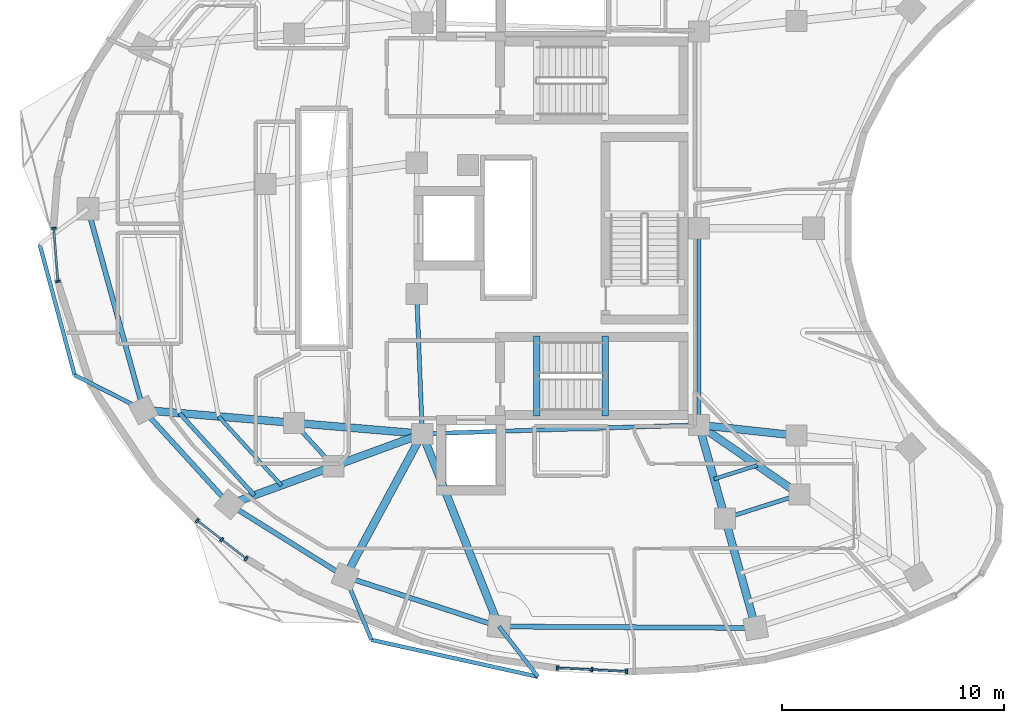
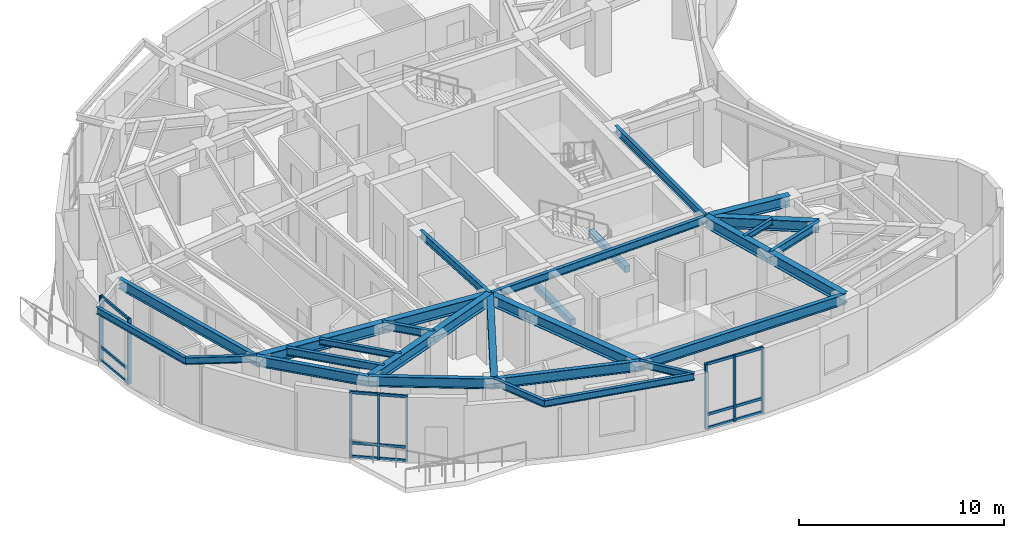
# One storey, part 2 of 13: 30 beams, 23 members, 3 elements without a shape of their own.
"""IFC4 building model written with IfcOpenShell, lengths in metres."""

from ifc_helpers import new_model, si_unit, direction, frame, origin, origin_2d, place, context, subcontext, project, spatial, rectangle, i_section, extrude, material, layer, layer_set, material_profile, profile_set, type_object, element, aggregate, save


model = new_model("IFC4")

# Units and contexts
model_context = context("Model", 3, precision=1e-05, world=origin(), true_north=direction((0.0, 1.0)))
body_context = subcontext(model_context, "Body", "Model", "MODEL_VIEW")
ifc_project = project(units=[si_unit("LENGTHUNIT", "METRE"), si_unit("AREAUNIT", "SQUARE_METRE"), si_unit("VOLUMEUNIT", "CUBIC_METRE"), si_unit("PLANEANGLEUNIT", "RADIAN"), si_unit("MASSUNIT", "GRAM", prefix="KILO")], contexts=[model_context])

# Site, building, storey
site_placement = place(None, origin())
site = spatial("IfcSite", under=ifc_project, at=site_placement, CompositionType="ELEMENT")
building_placement = place(site_placement, origin())
building = spatial("IfcBuilding", under=site, at=building_placement, Name="Korentha Bioscience Tower", CompositionType="ELEMENT")
storey_placement = place(building_placement, frame((0.0, 0.0, 204.60009765625)))
storey = spatial("IfcBuildingStorey", under=building, at=storey_placement, Name="L47", CompositionType="ELEMENT", Elevation=204.60009765625)

# Beams
ifc_material_1 = material(Name="Concrete C50", Category="concrete")
ifc_material_profile_1 = material_profile(ifc_material_1, rectangle(XDim=0.280029296875, YDim=0.3798828125, at=origin_2d()), Name="Concrete C50")
ifc_profile_set_1 = profile_set([ifc_material_profile_1], Name="Concrete C50 (ST-HB380)")
beam_type_1 = type_object("IfcBeamType", Name="Concrete Stair Header Beam RC 280x380", PredefinedType="BEAM", material=ifc_profile_set_1)
for number, where, z_axis, x_axis, name in (
    (1, (30.25, 18.550048828125, -0.190185546875), (0.0, 1.0, 0.0), (-1.0, 0.0, 0.0), "L47 ST-2 Concrete Stair Header Beam"),
    (2, (33.330078125, 18.550048828125, 1.909912109375), (0.0, 1.0, 0.0), (-1.0, 0.0, 0.0), "L47 ST-2 Half-Landing Header Beam 1"),
):
    element("IfcBeam", number, at=place(storey_placement, frame(where, z_axis=z_axis, x_axis=x_axis)), inside=storey, type_object=beam_type_1, Name=name, PredefinedType="BEAM", context=body_context, shape_type="SweptSolid", body=[
        extrude(rectangle(XDim=0.280029296875, YDim=0.3798828125, at=origin_2d()), origin(), (0.0, 0.0, 1.0), 3.599853515625),
    ])
ifc_material_2 = material(Name="Steel S355", Category="steel")
ifc_material_profile_2 = material_profile(ifc_material_2, i_section(OverallWidth=0.18994140625, OverallDepth=0.45703125, WebThickness=0.009033203125, FlangeThickness=0.014404296875, at=origin_2d()), Name="Steel S355")
ifc_profile_set_2 = profile_set([ifc_material_profile_2], Name="Steel S355 (MB-460)")
beam_type_2 = type_object("IfcBeamType", Name="Mid-Ring Tie Girder W460x74", PredefinedType="BEAM", material=ifc_profile_set_2)
beam_1_placement = place(storey_placement, frame((19.32470703125, 18.242431640625, 3.67138671875), z_axis=(0.673513544519, -0.739174881438, 0.0), x_axis=(0.739174881438, 0.673513544519, 0.0)))
element("IfcBeam", 3, at=beam_1_placement, inside=storey, type_object=beam_type_2, Name="L47 Mid-Ring Tie Girder 08", PredefinedType="BEAM", context=body_context, shape_type="SweptSolid", body=[
    extrude(i_section(OverallWidth=0.18994140625, OverallDepth=0.45703125, WebThickness=0.009033203125, FlangeThickness=0.014404296875, at=origin_2d()), origin(), (0.0, 0.0, 1.0), 2.6435546875),
])
beam_2_placement = place(storey_placement, frame((38.72607421875, 13.947021484375, 3.67138671875), z_axis=(0.953017639844, 0.302914803446, 0.0), x_axis=(-0.302914803446, 0.953017639844, 0.0)))
element("IfcBeam", 4, at=beam_2_placement, inside=storey, type_object=beam_type_2, Name="L47 Mid-Ring Tie Girder 12", PredefinedType="BEAM", context=body_context, shape_type="SweptSolid", body=[
    extrude(i_section(OverallWidth=0.18994140625, OverallDepth=0.45703125, WebThickness=0.009033203125, FlangeThickness=0.014404296875, at=origin_2d()), origin(), (0.0, 0.0, 1.0), 3.523681640625),
])
beam_3_placement = place(storey_placement, frame((24.85009765625, 24.050048828125, 3.67138671875), z_axis=(0.039651025576, -0.999213588864, 0.0), x_axis=(0.999213588864, 0.039651025576, 0.0)))
element("IfcBeam", 5, at=beam_3_placement, inside=storey, type_object=beam_type_2, Name="L47 Core Ring Tie Girder 04", PredefinedType="BEAM", context=body_context, shape_type="SweptSolid", body=[
    extrude(i_section(OverallWidth=0.18994140625, OverallDepth=0.45703125, WebThickness=0.009033203125, FlangeThickness=0.014404296875, at=origin_2d()), origin(), (0.0, 0.0, 1.0), 6.304931640625),
])
beam_4_placement = place(storey_placement, frame((25.10009765625, 17.75, 3.67138671875), z_axis=(0.999484526071, 0.032104238723, 0.0), x_axis=(-0.032104238723, 0.999484526071, 0.0)))
element("IfcBeam", 6, at=beam_4_placement, inside=storey, type_object=beam_type_2, Name="L47 Core Ring Tie Girder 05", PredefinedType="BEAM", context=body_context, shape_type="SweptSolid", body=[
    extrude(i_section(OverallWidth=0.18994140625, OverallDepth=0.45703125, WebThickness=0.009033203125, FlangeThickness=0.014404296875, at=origin_2d()), origin(), (0.0, 0.0, 1.0), 12.456298828125),
])
beam_5_placement = place(storey_placement, frame((37.550048828125, 18.14990234375, 3.67138671875), z_axis=(0.0, 1.0, 0.0), x_axis=(-1.0, 0.0, 0.0)))
element("IfcBeam", 7, at=beam_5_placement, inside=storey, type_object=beam_type_2, Name="L47 Core Ring Tie Girder 06", PredefinedType="BEAM", context=body_context, shape_type="SweptSolid", body=[
    extrude(i_section(OverallWidth=0.18994140625, OverallDepth=0.45703125, WebThickness=0.009033203125, FlangeThickness=0.014404296875, at=origin_2d()), origin(), (0.0, 0.0, 1.0), 8.85009765625),
])

# Curtain wall, members
ifc_material_3 = material(Name="Thermally Broken Aluminium Frame", Category="aluminium")
ifc_layer = layer(ifc_material_3, 0.219970703125, Name="Thermally Broken Aluminium Frame")
ifc_layer_set = layer_set([ifc_layer], Name="Thermally Broken Aluminium Frame (CW-T1)")
curtain_wall_type = type_object("IfcCurtainWallType", Name="Standard Bioscience Lab Unitised Curtain Wall CW-T1", PredefinedType="USERDEFINED", material=ifc_layer_set)
curtain_wall_1_placement = place(storey_placement, origin())
curtain_wall_1 = element("IfcCurtainWall", 8, at=curtain_wall_1_placement, inside=storey, type_object=curtain_wall_type, Name="L47 Curtain Wall 19", ObjectType="UNITISED", PredefinedType="USERDEFINED")
ifc_material_4 = material(Name="Anodised Aluminium 6063-T6", Category="aluminium")
ifc_material_profile_3 = material_profile(ifc_material_4, rectangle(XDim=0.090087890625, YDim=0.199951171875, at=origin_2d()), Name="Anodised Aluminium 6063-T6")
ifc_profile_set_3 = profile_set([ifc_material_profile_3], Name="Anodised Aluminium 6063-T6 (CW-MUL)")
member_type_1 = type_object("IfcMemberType", Name="Mullion RECT 90x200", PredefinedType="MULLION", material=ifc_profile_set_3)
member_1_placement = place(storey_placement, frame((8.518798828125, 27.007568359375, 0.0), z_axis=(0.0, 0.0, 1.0), x_axis=(0.077987717013, -0.996954319914, 0.0)))
member_1 = element("IfcMember", 9, at=member_1_placement, type_object=member_type_1, Name="CW-L47-19 Mullion 1", PredefinedType="MULLION", context=body_context, shape_type="SweptSolid", body=[
    extrude(rectangle(XDim=0.090087890625, YDim=0.199951171875, at=origin_2d()), origin(), (0.0, 0.0, 1.0), 3.89990234375),
])
member_2_placement = place(storey_placement, frame((8.70654296875, 24.605712890625, 0.0), z_axis=(0.0, 0.0, 1.0), x_axis=(0.077987717013, -0.996954319914, 0.0)))
member_2 = element("IfcMember", 10, at=member_2_placement, type_object=member_type_1, Name="CW-L47-19 Mullion 2", PredefinedType="MULLION", context=body_context, shape_type="SweptSolid", body=[
    extrude(rectangle(XDim=0.090087890625, YDim=0.199951171875, at=origin_2d()), origin(), (0.0, 0.0, 1.0), 3.89990234375),
])

curtain_wall_2_placement = place(storey_placement, origin())
curtain_wall_2 = element("IfcCurtainWall", 11, at=curtain_wall_2_placement, inside=storey, type_object=curtain_wall_type, Name="L47 Curtain Wall 25", ObjectType="UNITISED", PredefinedType="USERDEFINED")
member_3_placement = place(storey_placement, frame((14.97265625, 13.84375, 0.0), z_axis=(0.0, 0.0, 1.0), x_axis=(0.790346099854, -0.612660625833, 0.0)))
member_3 = element("IfcMember", 12, at=member_3_placement, type_object=member_type_1, Name="CW-L47-25 Mullion 1", PredefinedType="MULLION", context=body_context, shape_type="SweptSolid", body=[
    extrude(rectangle(XDim=0.090087890625, YDim=0.199951171875, at=origin_2d()), origin(), (0.0, 0.0, 1.0), 3.89990234375),
])
member_4_placement = place(storey_placement, frame((16.074951171875, 12.989501953125, 0.0), z_axis=(0.0, 0.0, 1.0), x_axis=(0.790346099854, -0.612660625833, 0.0)))
member_4 = element("IfcMember", 13, at=member_4_placement, type_object=member_type_1, Name="CW-L47-25 Mullion 2", PredefinedType="MULLION", context=body_context, shape_type="SweptSolid", body=[
    extrude(rectangle(XDim=0.090087890625, YDim=0.199951171875, at=origin_2d()), origin(), (0.0, 0.0, 1.0), 3.89990234375),
])
member_5_placement = place(storey_placement, frame((17.177001953125, 12.135009765625, 0.0), z_axis=(0.0, 0.0, 1.0), x_axis=(0.790346099854, -0.612660625833, 0.0)))
member_5 = element("IfcMember", 14, at=member_5_placement, type_object=member_type_1, Name="CW-L47-25 Mullion 3", PredefinedType="MULLION", context=body_context, shape_type="SweptSolid", body=[
    extrude(rectangle(XDim=0.090087890625, YDim=0.199951171875, at=origin_2d()), origin(), (0.0, 0.0, 1.0), 3.89990234375),
])

curtain_wall_3_placement = place(storey_placement, origin())
curtain_wall_3 = element("IfcCurtainWall", 15, at=curtain_wall_3_placement, inside=storey, type_object=curtain_wall_type, Name="L47 Curtain Wall 31", ObjectType="UNITISED", PredefinedType="USERDEFINED")
member_6_placement = place(storey_placement, frame((31.17529296875, 7.216796875, 0.0), z_axis=(0.0, 0.0, 1.0), x_axis=(0.998634603964, -0.052239140168, 0.0)))
member_6 = element("IfcMember", 16, at=member_6_placement, type_object=member_type_1, Name="CW-L47-31 Mullion 1", PredefinedType="MULLION", context=body_context, shape_type="SweptSolid", body=[
    extrude(rectangle(XDim=0.090087890625, YDim=0.199951171875, at=origin_2d()), origin(), (0.0, 0.0, 1.0), 3.89990234375),
])
member_7_placement = place(storey_placement, frame((32.737060546875, 7.135009765625, 0.0), z_axis=(0.0, 0.0, 1.0), x_axis=(0.998634603964, -0.052239140168, 0.0)))
member_7 = element("IfcMember", 17, at=member_7_placement, type_object=member_type_1, Name="CW-L47-31 Mullion 2", PredefinedType="MULLION", context=body_context, shape_type="SweptSolid", body=[
    extrude(rectangle(XDim=0.090087890625, YDim=0.199951171875, at=origin_2d()), origin(), (0.0, 0.0, 1.0), 3.89990234375),
])
member_8_placement = place(storey_placement, frame((34.299072265625, 7.053466796875, 0.0), z_axis=(0.0, 0.0, 1.0), x_axis=(0.998634603964, -0.052239140168, 0.0)))
member_8 = element("IfcMember", 18, at=member_8_placement, type_object=member_type_1, Name="CW-L47-31 Mullion 3", PredefinedType="MULLION", context=body_context, shape_type="SweptSolid", body=[
    extrude(rectangle(XDim=0.090087890625, YDim=0.199951171875, at=origin_2d()), origin(), (0.0, 0.0, 1.0), 3.89990234375),
])

# Beams
ifc_material_profile_4 = material_profile(ifc_material_2, i_section(OverallWidth=0.22802734375, OverallDepth=0.60791015625, WebThickness=0.01123046875, FlangeThickness=0.017333984375, at=origin_2d()), Name="Steel S355")
ifc_profile_set_4 = profile_set([ifc_material_profile_4], Name="Steel S355 (SB-610)")
beam_type_3 = type_object("IfcBeamType", Name="Perimeter Ring Spandrel Girder W610x113", PredefinedType="SPANDREL", material=ifc_profile_set_4)
beam_6_placement = place(storey_placement, frame((10.05224609375, 27.874267578125, 3.595947265625), z_axis=(0.265485778436, -0.964114776076, 0.0), x_axis=(0.964114776076, 0.265485778436, 0.0)))
element("IfcBeam", 19, at=beam_6_placement, inside=storey, type_object=beam_type_3, Name="L47 Perimeter Spandrel Girder 07", PredefinedType="SPANDREL", context=body_context, shape_type="SweptSolid", body=[
    extrude(i_section(OverallWidth=0.22802734375, OverallDepth=0.60791015625, WebThickness=0.01123046875, FlangeThickness=0.017333984375, at=origin_2d()), origin(), (0.0, 0.0, 1.0), 9.390869140625),
])
beam_7_placement = place(storey_placement, frame((12.54541015625, 18.8203125, 3.595947265625), z_axis=(0.673503408544, -0.739184116902, 0.0), x_axis=(0.739184116902, 0.673503408544, 0.0)))
element("IfcBeam", 20, at=beam_7_placement, inside=storey, type_object=beam_type_3, Name="L47 Perimeter Spandrel Girder 08", PredefinedType="SPANDREL", context=body_context, shape_type="SweptSolid", body=[
    extrude(i_section(OverallWidth=0.22802734375, OverallDepth=0.60791015625, WebThickness=0.01123046875, FlangeThickness=0.017333984375, at=origin_2d()), origin(), (0.0, 0.0, 1.0), 5.74658203125),
])
beam_8_placement = place(storey_placement, frame((16.415771484375, 14.572509765625, 3.595947265625), z_axis=(0.848274790748, -0.52955630426, 0.0), x_axis=(0.52955630426, 0.848274790748, 0.0)))
element("IfcBeam", 21, at=beam_8_placement, inside=storey, type_object=beam_type_3, Name="L47 Perimeter Spandrel Girder 09", PredefinedType="SPANDREL", context=body_context, shape_type="SweptSolid", body=[
    extrude(i_section(OverallWidth=0.22802734375, OverallDepth=0.60791015625, WebThickness=0.01123046875, FlangeThickness=0.017333984375, at=origin_2d()), origin(), (0.0, 0.0, 1.0), 6.148681640625),
])
beam_9_placement = place(storey_placement, frame((21.631591796875, 11.31640625, 3.595947265625), z_axis=(0.951425150124, -0.307880145042, 0.0), x_axis=(0.307880145042, 0.951425150124, 0.0)))
element("IfcBeam", 22, at=beam_9_placement, inside=storey, type_object=beam_type_3, Name="L47 Perimeter Spandrel Girder 10", PredefinedType="SPANDREL", context=body_context, shape_type="SweptSolid", body=[
    extrude(i_section(OverallWidth=0.22802734375, OverallDepth=0.60791015625, WebThickness=0.01123046875, FlangeThickness=0.017333984375, at=origin_2d()), origin(), (0.0, 0.0, 1.0), 7.275634765625),
])
beam_10_placement = place(storey_placement, frame((28.5537109375, 9.076416015625, 3.595947265625), z_axis=(0.999984906184, -0.005494306452, 0.0), x_axis=(0.005494306452, 0.999984906184, 0.0)))
element("IfcBeam", 23, at=beam_10_placement, inside=storey, type_object=beam_type_3, Name="L47 Perimeter Spandrel Girder 11", PredefinedType="SPANDREL", context=body_context, shape_type="SweptSolid", body=[
    extrude(i_section(OverallWidth=0.22802734375, OverallDepth=0.60791015625, WebThickness=0.01123046875, FlangeThickness=0.017333984375, at=origin_2d()), origin(), (0.0, 0.0, 1.0), 11.55322265625),
])
ifc_material_profile_5 = material_profile(ifc_material_2, i_section(OverallWidth=0.18994140625, OverallDepth=0.45703125, WebThickness=0.009033203125, FlangeThickness=0.014404296875, at=origin_2d()), Name="Steel S355")
ifc_profile_set_5 = profile_set([ifc_material_profile_5], Name="Steel S355 (RB-460)")
beam_type_4 = type_object("IfcBeamType", Name="Radial Laboratory Beam W460x74", PredefinedType="BEAM", material=ifc_profile_set_5)
beam_11_placement = place(storey_placement, frame((14.17236328125, 18.681640625, 3.67138671875), z_axis=(0.67349592261, -0.739190937599, 0.0), x_axis=(0.739190937599, 0.67349592261, 0.0)))
element("IfcBeam", 24, at=beam_11_placement, inside=storey, type_object=beam_type_4, Name="L47 Secondary Floor Beam JSTO-08", PredefinedType="BEAM", context=body_context, shape_type="SweptSolid", body=[
    extrude(i_section(OverallWidth=0.18994140625, OverallDepth=0.45703125, WebThickness=0.009033203125, FlangeThickness=0.014404296875, at=origin_2d()), origin(), (0.0, 0.0, 1.0), 5.002197265625),
])
ifc_material_profile_6 = material_profile(ifc_material_2, i_section(OverallWidth=0.35009765625, OverallDepth=0.64990234375, WebThickness=0.01611328125, FlangeThickness=0.02490234375, at=origin_2d()), Name="Steel S355")
ifc_profile_set_6 = profile_set([ifc_material_profile_6], Name="Steel S355 (RB-650)")
beam_type_5 = type_object("IfcBeamType", Name="Radial Laboratory Girder CVS 650x208", PredefinedType="BEAM", material=ifc_profile_set_6)
beam_12_placement = place(storey_placement, frame((25.10009765625, 17.75, 3.574951171875), z_axis=(-0.996384743884, 0.084955530454, 0.0), x_axis=(-0.084955530454, -0.996384743884, 0.0)))
element("IfcBeam", 25, at=beam_12_placement, inside=storey, type_object=beam_type_5, Name="L47 Inner Radial Girder 08", PredefinedType="BEAM", context=body_context, shape_type="SweptSolid", body=[
    extrude(i_section(OverallWidth=0.35009765625, OverallDepth=0.64990234375, WebThickness=0.01611328125, FlangeThickness=0.02490234375, at=origin_2d()), origin(), (0.0, 0.0, 1.0), 5.79638671875),
])
beam_13_placement = place(storey_placement, frame((19.32470703125, 18.242431640625, 3.574951171875), z_axis=(-0.996386580267, 0.084933990042, 0.0), x_axis=(-0.084933990042, -0.996386580267, 0.0)))
element("IfcBeam", 26, at=beam_13_placement, inside=storey, type_object=beam_type_5, Name="L47 Outer Radial Girder 08", PredefinedType="BEAM", context=body_context, shape_type="SweptSolid", body=[
    extrude(i_section(OverallWidth=0.35009765625, OverallDepth=0.64990234375, WebThickness=0.01611328125, FlangeThickness=0.02490234375, at=origin_2d()), origin(), (0.0, 0.0, 1.0), 6.803955078125),
])
beam_14_placement = place(storey_placement, frame((25.10009765625, 17.75, 3.574951171875), z_axis=(-0.939112914942, -0.343608691668, 0.0), x_axis=(0.343608691668, -0.939112914942, 0.0)))
element("IfcBeam", 27, at=beam_14_placement, inside=storey, type_object=beam_type_5, Name="L47 Inner Radial Girder 09", PredefinedType="BEAM", context=body_context, shape_type="SweptSolid", body=[
    extrude(i_section(OverallWidth=0.35009765625, OverallDepth=0.64990234375, WebThickness=0.01611328125, FlangeThickness=0.02490234375, at=origin_2d()), origin(), (0.0, 0.0, 1.0), 4.25390625),
])
beam_15_placement = place(storey_placement, frame((21.105224609375, 16.288330078125, 3.574951171875), z_axis=(-0.939112078038, -0.343610978991, 0.0), x_axis=(0.343610978991, -0.939112078038, 0.0)))
element("IfcBeam", 28, at=beam_15_placement, inside=storey, type_object=beam_type_5, Name="L47 Outer Radial Girder 09", PredefinedType="BEAM", context=body_context, shape_type="SweptSolid", body=[
    extrude(i_section(OverallWidth=0.35009765625, OverallDepth=0.64990234375, WebThickness=0.01611328125, FlangeThickness=0.02490234375, at=origin_2d()), origin(), (0.0, 0.0, 1.0), 4.993408203125),
])
beam_16_placement = place(storey_placement, frame((25.10009765625, 17.75, 3.574951171875), z_axis=(-0.47455192253, -0.880227511967, 0.0), x_axis=(0.880227511967, -0.47455192253, 0.0)))
element("IfcBeam", 29, at=beam_16_placement, inside=storey, type_object=beam_type_5, Name="L47 Radial Girder 10", PredefinedType="BEAM", context=body_context, shape_type="SweptSolid", body=[
    extrude(i_section(OverallWidth=0.35009765625, OverallDepth=0.64990234375, WebThickness=0.01611328125, FlangeThickness=0.02490234375, at=origin_2d()), origin(), (0.0, 0.0, 1.0), 7.30908203125),
])
beam_17_placement = place(storey_placement, frame((25.10009765625, 17.75, 3.574951171875), z_axis=(0.369929378235, -0.929059877036, 0.0), x_axis=(0.929059877036, 0.369929378235, 0.0)))
element("IfcBeam", 30, at=beam_17_placement, inside=storey, type_object=beam_type_5, Name="L47 Radial Girder 11", PredefinedType="BEAM", context=body_context, shape_type="SweptSolid", body=[
    extrude(i_section(OverallWidth=0.35009765625, OverallDepth=0.64990234375, WebThickness=0.01611328125, FlangeThickness=0.02490234375, at=origin_2d()), origin(), (0.0, 0.0, 1.0), 9.3359375),
])
beam_18_placement = place(storey_placement, frame((37.550048828125, 18.14990234375, 3.574951171875), z_axis=(0.269463926865, -0.963010483909, 0.0), x_axis=(0.963010483909, 0.269463926865, 0.0)))
element("IfcBeam", 31, at=beam_18_placement, inside=storey, type_object=beam_type_5, Name="L47 Inner Radial Girder 12", PredefinedType="BEAM", context=body_context, shape_type="SweptSolid", body=[
    extrude(i_section(OverallWidth=0.35009765625, OverallDepth=0.64990234375, WebThickness=0.01611328125, FlangeThickness=0.02490234375, at=origin_2d()), origin(), (0.0, 0.0, 1.0), 4.3642578125),
])
beam_19_placement = place(storey_placement, frame((38.72607421875, 13.947021484375, 3.574951171875), z_axis=(0.269462014476, -0.96301101902, 0.0), x_axis=(0.96301101902, 0.269462014476, 0.0)))
element("IfcBeam", 32, at=beam_19_placement, inside=storey, type_object=beam_type_5, Name="L47 Outer Radial Girder 12", PredefinedType="BEAM", context=body_context, shape_type="SweptSolid", body=[
    extrude(i_section(OverallWidth=0.35009765625, OverallDepth=0.64990234375, WebThickness=0.01611328125, FlangeThickness=0.02490234375, at=origin_2d()), origin(), (0.0, 0.0, 1.0), 5.12353515625),
])
beam_20_placement = place(storey_placement, frame((37.550048828125, 18.14990234375, 3.574951171875), z_axis=(0.822493403442, -0.568774648956, 0.0), x_axis=(0.568774648956, 0.822493403442, 0.0)))
element("IfcBeam", 33, at=beam_20_placement, inside=storey, type_object=beam_type_5, Name="L47 Inner Radial Girder 13", PredefinedType="BEAM", context=body_context, shape_type="SweptSolid", body=[
    extrude(i_section(OverallWidth=0.35009765625, OverallDepth=0.64990234375, WebThickness=0.01611328125, FlangeThickness=0.02490234375, at=origin_2d()), origin(), (0.0, 0.0, 1.0), 5.5126953125),
])
beam_21_placement = place(storey_placement, frame((37.550048828125, 18.14990234375, 3.574951171875), z_axis=(0.99412286891, -0.108257662593, 0.0), x_axis=(0.108257662593, 0.99412286891, 0.0)))
element("IfcBeam", 34, at=beam_21_placement, inside=storey, type_object=beam_type_5, Name="L47 Inner Radial Girder 14", PredefinedType="BEAM", context=body_context, shape_type="SweptSolid", body=[
    extrude(i_section(OverallWidth=0.35009765625, OverallDepth=0.64990234375, WebThickness=0.01611328125, FlangeThickness=0.02490234375, at=origin_2d()), origin(), (0.0, 0.0, 1.0), 4.413330078125),
])
ifc_material_profile_7 = material_profile(ifc_material_2, i_section(OverallWidth=0.1708984375, OverallDepth=0.35498046875, WebThickness=0.007080078125, FlangeThickness=0.01171875, at=origin_2d()), Name="Steel S355")
ifc_profile_set_7 = profile_set([ifc_material_profile_7], Name="Steel S355 (JB-360)")
beam_type_6 = type_object("IfcBeamType", Name="Secondary Laboratory Joist W360x51", PredefinedType="JOIST", material=ifc_profile_set_7)
beam_22_placement = place(storey_placement, frame((15.93505859375, 18.531494140625, 3.722412109375), z_axis=(0.673492116079, -0.739194405809, 0.0), x_axis=(0.739194405809, 0.673492116079, 0.0)))
element("IfcBeam", 35, at=beam_22_placement, inside=storey, type_object=beam_type_6, Name="L47 Secondary Floor Beam JST-08", PredefinedType="JOIST", context=body_context, shape_type="SweptSolid", body=[
    extrude(i_section(OverallWidth=0.1708984375, OverallDepth=0.35498046875, WebThickness=0.007080078125, FlangeThickness=0.01171875, at=origin_2d()), origin(), (0.0, 0.0, 1.0), 4.1953125),
])
beam_23_placement = place(storey_placement, frame((38.232177734375, 15.71240234375, 3.722412109375), z_axis=(0.953033984423, 0.30286337602, 0.0), x_axis=(-0.30286337602, 0.953033984423, 0.0)))
element("IfcBeam", 36, at=beam_23_placement, inside=storey, type_object=beam_type_6, Name="L47 Inner Bay Joist 12", PredefinedType="JOIST", context=body_context, shape_type="SweptSolid", body=[
    extrude(i_section(OverallWidth=0.1708984375, OverallDepth=0.35498046875, WebThickness=0.007080078125, FlangeThickness=0.01171875, at=origin_2d()), origin(), (0.0, 0.0, 1.0), 2.04345703125),
])
ifc_material_profile_8 = material_profile(ifc_material_2, i_section(OverallWidth=0.177978515625, OverallDepth=0.406982421875, WebThickness=0.0078125, FlangeThickness=0.0126953125, at=origin_2d()), Name="Steel S355")
ifc_profile_set_8 = profile_set([ifc_material_profile_8], Name="Steel S355 (CB-410)")
beam_type_7 = type_object("IfcBeamType", Name="Sun-Ledge Cantilever Beam W410x60", PredefinedType="BEAM", material=ifc_profile_set_8)
beam_24_placement = place(storey_placement, frame((12.54541015625, 18.8203125, 3.698486328125), z_axis=(-0.89072290577, 0.454546702921, 0.0), x_axis=(-0.454546702921, -0.89072290577, 0.0)))
element("IfcBeam", 37, at=beam_24_placement, inside=storey, type_object=beam_type_7, Name="L47 Balcony Cantilever Bracket B-L48-02", PredefinedType="BEAM", context=body_context, shape_type="SweptSolid", body=[
    extrude(i_section(OverallWidth=0.177978515625, OverallDepth=0.406982421875, WebThickness=0.0078125, FlangeThickness=0.0126953125, at=origin_2d()), origin(), (0.0, 0.0, 1.0), 3.46875),
])
beam_25_placement = place(storey_placement, frame((7.883056640625, 26.273193359375, 3.698486328125), z_axis=(0.25854683524, -0.965998723595, 0.0), x_axis=(0.965998723595, 0.25854683524, 0.0)))
element("IfcBeam", 38, at=beam_25_placement, inside=storey, type_object=beam_type_7, Name="L47 Balcony Edge Trimmer Beam L48-02", PredefinedType="BEAM", context=body_context, shape_type="SweptSolid", body=[
    extrude(i_section(OverallWidth=0.177978515625, OverallDepth=0.406982421875, WebThickness=0.0078125, FlangeThickness=0.0126953125, at=origin_2d()), origin(), (0.0, 0.0, 1.0), 6.0830078125),
])
beam_26_placement = place(storey_placement, frame((21.631591796875, 11.31640625, 3.698486328125), z_axis=(0.383731180964, -0.923444844458, 0.0), x_axis=(0.923444844458, 0.383731180964, 0.0)))
element("IfcBeam", 39, at=beam_26_placement, inside=storey, type_object=beam_type_7, Name="L47 Balcony Cantilever Bracket A-L48-03", PredefinedType="BEAM", context=body_context, shape_type="SweptSolid", body=[
    extrude(i_section(OverallWidth=0.177978515625, OverallDepth=0.406982421875, WebThickness=0.0078125, FlangeThickness=0.0126953125, at=origin_2d()), origin(), (0.0, 0.0, 1.0), 3.07861328125),
])
beam_27_placement = place(storey_placement, frame((28.5537109375, 9.076416015625, 3.698486328125), z_axis=(0.612638390848, -0.790363335473, 0.0), x_axis=(0.790363335473, 0.612638390848, 0.0)))
element("IfcBeam", 40, at=beam_27_placement, inside=storey, type_object=beam_type_7, Name="L47 Balcony Cantilever Bracket B-L48-03", PredefinedType="BEAM", context=body_context, shape_type="SweptSolid", body=[
    extrude(i_section(OverallWidth=0.177978515625, OverallDepth=0.406982421875, WebThickness=0.0078125, FlangeThickness=0.0126953125, at=origin_2d()), origin(), (0.0, 0.0, 1.0), 2.857177734375),
])
beam_28_placement = place(storey_placement, frame((22.81298828125, 8.473388671875, 3.698486328125), z_axis=(0.976446927493, -0.215757729384, 0.0), x_axis=(0.215757729384, 0.976446927493, 0.0)))
element("IfcBeam", 41, at=beam_28_placement, inside=storey, type_object=beam_type_7, Name="L47 Balcony Edge Trimmer Beam L48-03", PredefinedType="BEAM", context=body_context, shape_type="SweptSolid", body=[
    extrude(i_section(OverallWidth=0.177978515625, OverallDepth=0.406982421875, WebThickness=0.0078125, FlangeThickness=0.0126953125, at=origin_2d()), origin(), (0.0, 0.0, 1.0), 7.671875),
])

# Member
ifc_material_profile_9 = material_profile(ifc_material_4, rectangle(XDim=0.090087890625, YDim=0.159912109375, at=origin_2d()), Name="Anodised Aluminium 6063-T6")
ifc_profile_set_9 = profile_set([ifc_material_profile_9], Name="Anodised Aluminium 6063-T6 (CW-TRN)")
member_type_2 = type_object("IfcMemberType", Name="Transom RECT 90x160", PredefinedType="USERDEFINED", material=ifc_profile_set_9)
member_9_placement = place(storey_placement, frame((8.522216796875, 26.962646484375, 0.044921875), z_axis=(0.078008652309, -0.996952682009, 0.0), x_axis=(0.996952682009, 0.078008652309, 0.0)))
member_9 = element("IfcMember", 42, at=member_9_placement, type_object=member_type_2, Name="CW-L47-19 Bay 1 Transom 1", ObjectType="TRANSOM", PredefinedType="USERDEFINED", context=body_context, shape_type="SweptSolid", body=[
    extrude(rectangle(XDim=0.090087890625, YDim=0.159912109375, at=origin_2d()), origin(), (0.0, 0.0, 1.0), 2.319091796875),
])

member_10_placement = place(storey_placement, frame((8.522216796875, 26.962646484375, 0.849853515625), z_axis=(0.078008652309, -0.996952682009, 0.0), x_axis=(0.996952682009, 0.078008652309, 0.0)))
member_10 = element("IfcMember", 43, at=member_10_placement, type_object=member_type_2, Name="CW-L47-19 Bay 1 Transom 2", ObjectType="TRANSOM", PredefinedType="USERDEFINED", context=body_context, shape_type="SweptSolid", body=[
    extrude(rectangle(XDim=0.090087890625, YDim=0.159912109375, at=origin_2d()), origin(), (0.0, 0.0, 1.0), 2.319091796875),
])

member_11_placement = place(storey_placement, frame((8.522216796875, 26.962646484375, 3.85498046875), z_axis=(0.078008652309, -0.996952682009, 0.0), x_axis=(0.996952682009, 0.078008652309, 0.0)))
member_11 = element("IfcMember", 44, at=member_11_placement, type_object=member_type_2, Name="CW-L47-19 Bay 1 Transom 3", ObjectType="TRANSOM", PredefinedType="USERDEFINED", context=body_context, shape_type="SweptSolid", body=[
    extrude(rectangle(XDim=0.090087890625, YDim=0.159912109375, at=origin_2d()), origin(), (0.0, 0.0, 1.0), 2.319091796875),
])

aggregate(curtain_wall_1, [member_1, member_2, member_9, member_10, member_11])

member_12_placement = place(storey_placement, frame((15.00830078125, 13.81640625, 0.044921875), z_axis=(0.790308570646, -0.6127090363, 0.0), x_axis=(0.6127090363, 0.790308570646, 0.0)))
member_12 = element("IfcMember", 45, at=member_12_placement, type_object=member_type_2, Name="CW-L47-25 Bay 1 Transom 1", ObjectType="TRANSOM", PredefinedType="USERDEFINED", context=body_context, shape_type="SweptSolid", body=[
    extrude(rectangle(XDim=0.090087890625, YDim=0.159912109375, at=origin_2d()), origin(), (0.0, 0.0, 1.0), 1.304443359375),
])

member_13_placement = place(storey_placement, frame((15.00830078125, 13.81640625, 0.849853515625), z_axis=(0.790308570646, -0.6127090363, 0.0), x_axis=(0.6127090363, 0.790308570646, 0.0)))
member_13 = element("IfcMember", 46, at=member_13_placement, type_object=member_type_2, Name="CW-L47-25 Bay 1 Transom 2", ObjectType="TRANSOM", PredefinedType="USERDEFINED", context=body_context, shape_type="SweptSolid", body=[
    extrude(rectangle(XDim=0.090087890625, YDim=0.159912109375, at=origin_2d()), origin(), (0.0, 0.0, 1.0), 1.304443359375),
])

member_14_placement = place(storey_placement, frame((15.00830078125, 13.81640625, 3.85498046875), z_axis=(0.790308570646, -0.6127090363, 0.0), x_axis=(0.6127090363, 0.790308570646, 0.0)))
member_14 = element("IfcMember", 47, at=member_14_placement, type_object=member_type_2, Name="CW-L47-25 Bay 1 Transom 3", ObjectType="TRANSOM", PredefinedType="USERDEFINED", context=body_context, shape_type="SweptSolid", body=[
    extrude(rectangle(XDim=0.090087890625, YDim=0.159912109375, at=origin_2d()), origin(), (0.0, 0.0, 1.0), 1.304443359375),
])

member_15_placement = place(storey_placement, frame((16.110595703125, 12.9619140625, 0.044921875), z_axis=(0.790308570646, -0.6127090363, 0.0), x_axis=(0.6127090363, 0.790308570646, 0.0)))
member_15 = element("IfcMember", 48, at=member_15_placement, type_object=member_type_2, Name="CW-L47-25 Bay 2 Transom 1", ObjectType="TRANSOM", PredefinedType="USERDEFINED", context=body_context, shape_type="SweptSolid", body=[
    extrude(rectangle(XDim=0.090087890625, YDim=0.159912109375, at=origin_2d()), origin(), (0.0, 0.0, 1.0), 1.304443359375),
])

member_16_placement = place(storey_placement, frame((16.110595703125, 12.9619140625, 0.849853515625), z_axis=(0.790308570646, -0.6127090363, 0.0), x_axis=(0.6127090363, 0.790308570646, 0.0)))
member_16 = element("IfcMember", 49, at=member_16_placement, type_object=member_type_2, Name="CW-L47-25 Bay 2 Transom 2", ObjectType="TRANSOM", PredefinedType="USERDEFINED", context=body_context, shape_type="SweptSolid", body=[
    extrude(rectangle(XDim=0.090087890625, YDim=0.159912109375, at=origin_2d()), origin(), (0.0, 0.0, 1.0), 1.304443359375),
])

member_17_placement = place(storey_placement, frame((16.110595703125, 12.9619140625, 3.85498046875), z_axis=(0.790308570646, -0.6127090363, 0.0), x_axis=(0.6127090363, 0.790308570646, 0.0)))
member_17 = element("IfcMember", 50, at=member_17_placement, type_object=member_type_2, Name="CW-L47-25 Bay 2 Transom 3", ObjectType="TRANSOM", PredefinedType="USERDEFINED", context=body_context, shape_type="SweptSolid", body=[
    extrude(rectangle(XDim=0.090087890625, YDim=0.159912109375, at=origin_2d()), origin(), (0.0, 0.0, 1.0), 1.304443359375),
])

aggregate(curtain_wall_2, [member_3, member_4, member_5, member_12, member_13, member_14, member_15, member_16, member_17])

member_18_placement = place(storey_placement, frame((31.22021484375, 7.214599609375, 0.044921875), z_axis=(0.998629244744, -0.05234148969, 0.0), x_axis=(0.05234148969, 0.998629244744, 0.0)))
member_18 = element("IfcMember", 51, at=member_18_placement, type_object=member_type_2, Name="CW-L47-31 Bay 1 Transom 1", ObjectType="TRANSOM", PredefinedType="USERDEFINED", context=body_context, shape_type="SweptSolid", body=[
    extrude(rectangle(XDim=0.090087890625, YDim=0.159912109375, at=origin_2d()), origin(), (0.0, 0.0, 1.0), 1.473876953125),
])

member_19_placement = place(storey_placement, frame((31.22021484375, 7.214599609375, 0.849853515625), z_axis=(0.998629244744, -0.05234148969, 0.0), x_axis=(0.05234148969, 0.998629244744, 0.0)))
member_19 = element("IfcMember", 52, at=member_19_placement, type_object=member_type_2, Name="CW-L47-31 Bay 1 Transom 2", ObjectType="TRANSOM", PredefinedType="USERDEFINED", context=body_context, shape_type="SweptSolid", body=[
    extrude(rectangle(XDim=0.090087890625, YDim=0.159912109375, at=origin_2d()), origin(), (0.0, 0.0, 1.0), 1.473876953125),
])

member_20_placement = place(storey_placement, frame((31.22021484375, 7.214599609375, 3.85498046875), z_axis=(0.998629244744, -0.05234148969, 0.0), x_axis=(0.05234148969, 0.998629244744, 0.0)))
member_20 = element("IfcMember", 53, at=member_20_placement, type_object=member_type_2, Name="CW-L47-31 Bay 1 Transom 3", ObjectType="TRANSOM", PredefinedType="USERDEFINED", context=body_context, shape_type="SweptSolid", body=[
    extrude(rectangle(XDim=0.090087890625, YDim=0.159912109375, at=origin_2d()), origin(), (0.0, 0.0, 1.0), 1.473876953125),
])

member_21_placement = place(storey_placement, frame((32.781982421875, 7.1328125, 0.044921875), z_axis=(0.998637888993, -0.052176303704, 0.0), x_axis=(0.052176303704, 0.998637888993, 0.0)))
member_21 = element("IfcMember", 54, at=member_21_placement, type_object=member_type_2, Name="CW-L47-31 Bay 2 Transom 1", ObjectType="TRANSOM", PredefinedType="USERDEFINED", context=body_context, shape_type="SweptSolid", body=[
    extrude(rectangle(XDim=0.090087890625, YDim=0.159912109375, at=origin_2d()), origin(), (0.0, 0.0, 1.0), 1.473876953125),
])

member_22_placement = place(storey_placement, frame((32.781982421875, 7.1328125, 0.849853515625), z_axis=(0.998637888993, -0.052176303704, 0.0), x_axis=(0.052176303704, 0.998637888993, 0.0)))
member_22 = element("IfcMember", 55, at=member_22_placement, type_object=member_type_2, Name="CW-L47-31 Bay 2 Transom 2", ObjectType="TRANSOM", PredefinedType="USERDEFINED", context=body_context, shape_type="SweptSolid", body=[
    extrude(rectangle(XDim=0.090087890625, YDim=0.159912109375, at=origin_2d()), origin(), (0.0, 0.0, 1.0), 1.473876953125),
])

member_23_placement = place(storey_placement, frame((32.781982421875, 7.1328125, 3.85498046875), z_axis=(0.998637888993, -0.052176303704, 0.0), x_axis=(0.052176303704, 0.998637888993, 0.0)))
member_23 = element("IfcMember", 56, at=member_23_placement, type_object=member_type_2, Name="CW-L47-31 Bay 2 Transom 3", ObjectType="TRANSOM", PredefinedType="USERDEFINED", context=body_context, shape_type="SweptSolid", body=[
    extrude(rectangle(XDim=0.090087890625, YDim=0.159912109375, at=origin_2d()), origin(), (0.0, 0.0, 1.0), 1.473876953125),
])

aggregate(curtain_wall_3, [member_6, member_7, member_8, member_18, member_19, member_20, member_21, member_22, member_23])

save(model, "model.ifc")
